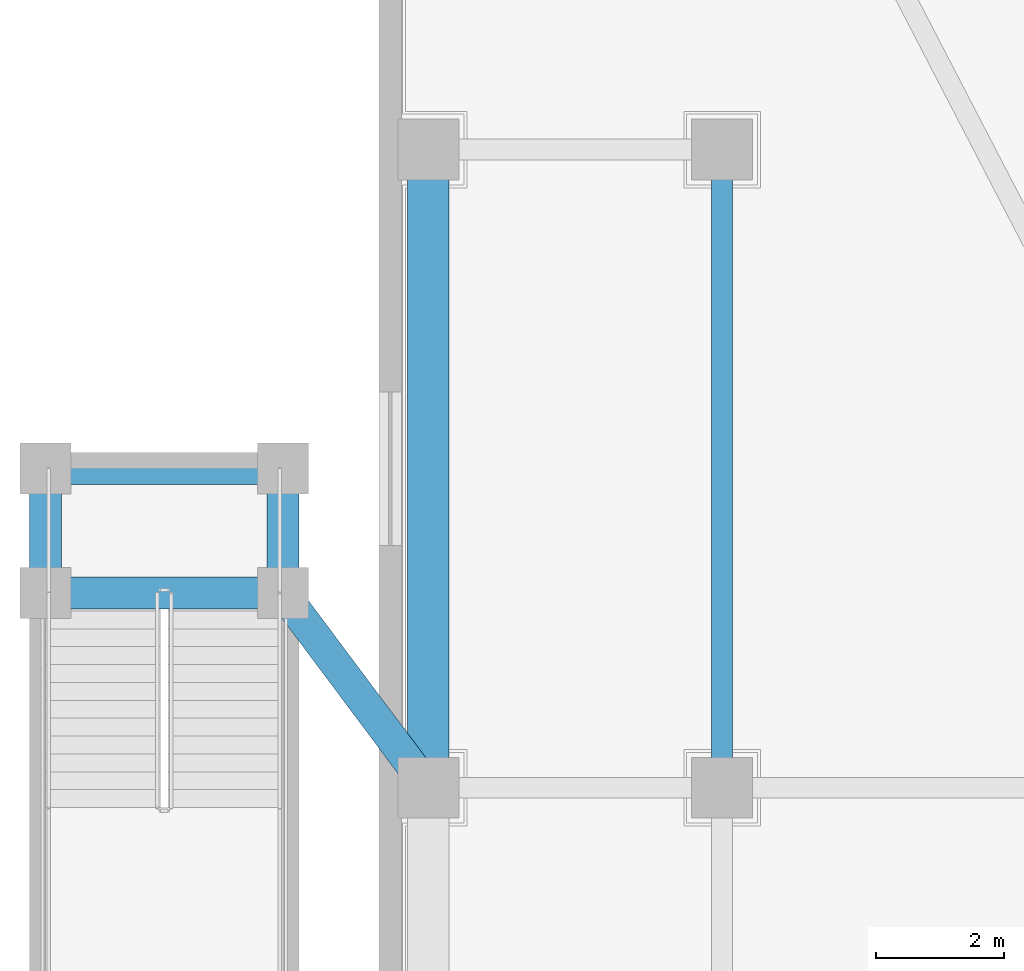
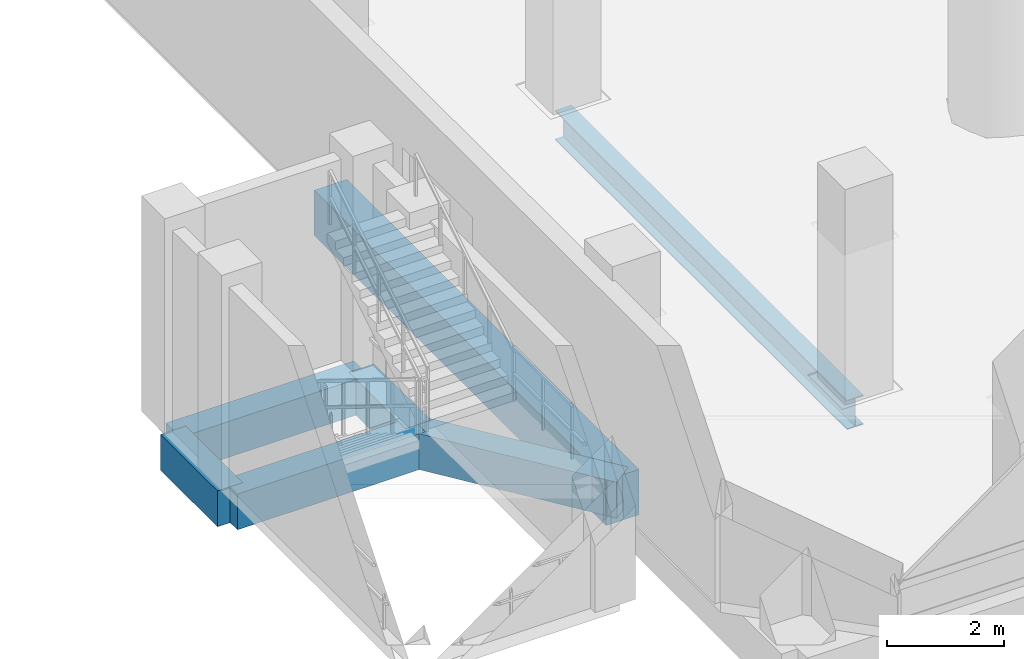
# One storey, part 3 of 36: 7 beams.
"""IFC4 building model written with IfcOpenShell, lengths in metres."""

from ifc_helpers import new_model, si_unit, direction, frame, origin, origin_2d, place, context, subcontext, project, spatial, rectangle, i_section, extrude, material, material_profile, profile_set, type_object, element, save


model = new_model("IFC4")

# Units and contexts
model_context = context("Model", 3, precision=1e-05, world=origin(), true_north=direction((-0.2419218956, 0.970295726276)))
body_context = subcontext(model_context, "Body", "Model", "MODEL_VIEW")
ifc_project = project(units=[si_unit("LENGTHUNIT", "METRE"), si_unit("AREAUNIT", "SQUARE_METRE"), si_unit("VOLUMEUNIT", "CUBIC_METRE"), si_unit("PLANEANGLEUNIT", "RADIAN"), si_unit("MASSUNIT", "GRAM", prefix="KILO")], contexts=[model_context])

# Site, building, storey
site_placement = place(None, origin())
site = spatial("IfcSite", under=ifc_project, at=site_placement, CompositionType="ELEMENT")
building_placement = place(site_placement, origin())
building = spatial("IfcBuilding", under=site, at=building_placement, Name="Cobrevalo Terracotta Tower", CompositionType="ELEMENT")
storey_placement = place(building_placement, frame((0.0, 0.0, 5.39990234375)))
storey = spatial("IfcBuildingStorey", under=building, at=storey_placement, Name="L01", CompositionType="ELEMENT", Elevation=5.39990234375)

# Beams
ifc_material_1 = material(Name="Steel S355", Category="steel")
ifc_material_profile_1 = material_profile(ifc_material_1, i_section(OverallWidth=0.324951171875, OverallDepth=0.615966796875, WebThickness=0.013916015625, FlangeThickness=0.021484375, at=origin_2d()), Name="W 610x174")
ifc_profile_set_1 = profile_set([ifc_material_profile_1], Name="Steel S355")
beam_type_1 = type_object("IfcBeamType", Name="Structural Beam W 610x174 (Steel S355)", PredefinedType="BEAM", material=ifc_profile_set_1)
beam_1_placement = place(storey_placement, frame((9.0, 8.800048828125, -0.60791015625), z_axis=(0.0, 1.0, 0.0), x_axis=(-1.0, 0.0, 0.0)))
element("IfcBeam", 1, at=beam_1_placement, inside=storey, type_object=beam_type_1, Name="L01 podium grid beam G2-GB to G2-GC", PredefinedType="BEAM", context=body_context, shape_type="SweptSolid", body=[
    extrude(i_section(OverallWidth=0.324951171875, OverallDepth=0.615966796875, WebThickness=0.013916015625, FlangeThickness=0.021484375, at=origin_2d()), origin(), (0.0, 0.0, 1.0), 10.0),
])
ifc_material_2 = material(Name="Concrete C50", Category="concrete")
ifc_material_profile_2 = material_profile(ifc_material_2, rectangle(XDim=0.64990234375, YDim=0.949951171875, at=origin_2d()), Name="RC BM 650x950")
ifc_profile_set_2 = profile_set([ifc_material_profile_2], Name="Concrete C50")
beam_type_2 = type_object("IfcBeamType", Name="Structural Spandrel RC BM 650x950 (Concrete C50)", PredefinedType="SPANDREL", material=ifc_profile_set_2)
beam_2_placement = place(storey_placement, frame((4.39990234375, 8.800048828125, -0.77490234375), z_axis=(0.0, 1.0, 0.0), x_axis=(-1.0, 0.0, 0.0)))
element("IfcBeam", 2, at=beam_2_placement, inside=storey, type_object=beam_type_2, Name="L01 podium grid beam G1-GB to G1-GC", PredefinedType="SPANDREL", context=body_context, shape_type="SweptSolid", body=[
    extrude(rectangle(XDim=0.64990234375, YDim=0.949951171875, at=origin_2d()), origin(), (0.0, 0.0, 1.0), 10.0),
])
ifc_material_profile_3 = material_profile(ifc_material_2, rectangle(XDim=0.5, YDim=0.75, at=origin_2d()), Name="RC BM 500x750")
ifc_profile_set_3 = profile_set([ifc_material_profile_3], Name="Concrete C50")
beam_type_3 = type_object("IfcBeamType", Name="Structural T Beam RC BM 500x750 (Concrete C50)", PredefinedType="T_BEAM", material=ifc_profile_set_3)
for number, where, z_axis, x_axis, name in (
    (3, (-1.60009765625, 11.85009765625, -0.6748046875), (0.0, 1.0, 0.0), (-1.0, 0.0, 0.0), "L01 garden stair landing side beam W1"),
    (4, (2.1201171875, 11.85009765625, -0.6748046875), (0.0, 1.0, 0.0), (-1.0, 0.0, 0.0), "L01 garden stair landing side beam W2"),
):
    element("IfcBeam", number, at=place(storey_placement, frame(where, z_axis=z_axis, x_axis=x_axis)), inside=storey, type_object=beam_type_3, Name=name, PredefinedType="T_BEAM", context=body_context, shape_type="SweptSolid", body=[
        extrude(rectangle(XDim=0.5, YDim=0.75, at=origin_2d()), origin(), (0.0, 0.0, 1.0), 1.949951171875),
    ])
for number, where, z_axis, x_axis, name in (
    (5, (-1.60009765625, 11.85009765625, -0.6748046875), (1.0, 0.0, 0.0), (0.0, 1.0, 0.0), "L01 garden stair shaft header beam WS"),
    (6, (-1.60009765625, 13.800048828125, -0.6748046875), (1.0, 0.0, 0.0), (0.0, 1.0, 0.0), "L01 garden stair shaft header beam WN"),
):
    element("IfcBeam", number, at=place(storey_placement, frame(where, z_axis=z_axis, x_axis=x_axis)), inside=storey, type_object=beam_type_3, Name=name, PredefinedType="T_BEAM", context=body_context, shape_type="SweptSolid", body=[
        extrude(rectangle(XDim=0.5, YDim=0.75, at=origin_2d()), origin(), (0.0, 0.0, 1.0), 3.72021484375),
    ])
beam_3_placement = place(storey_placement, frame((2.1201171875, 11.85009765625, -0.6748046875), z_axis=(0.59869640819, -0.800976036359, 0.0), x_axis=(0.800976036359, 0.59869640819, 0.0)))
element("IfcBeam", 7, at=beam_3_placement, inside=storey, type_object=beam_type_3, Name="L01 garden stair frame tie beam W1", PredefinedType="T_BEAM", context=body_context, shape_type="SweptSolid", body=[
    extrude(rectangle(XDim=0.5, YDim=0.75, at=origin_2d()), origin(), (0.0, 0.0, 1.0), 3.807861328125),
])

save(model, "model.ifc")
